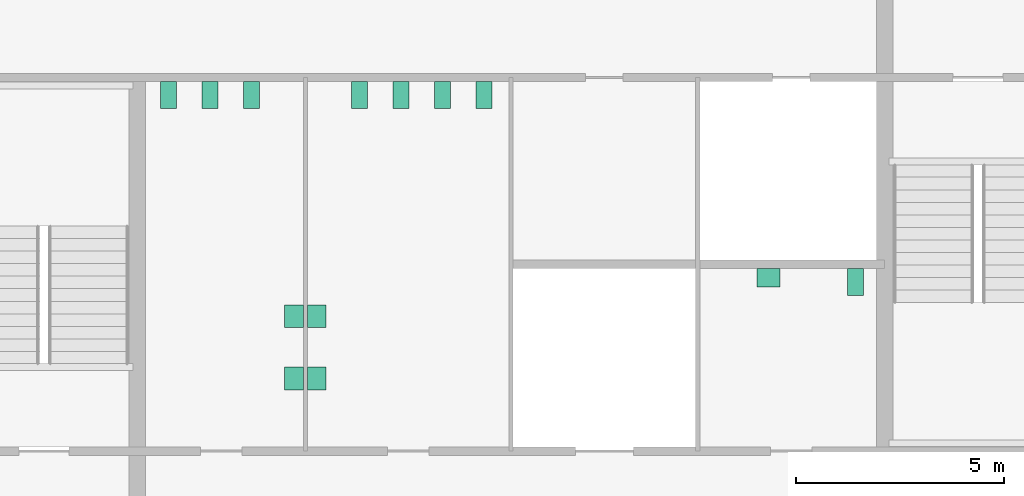
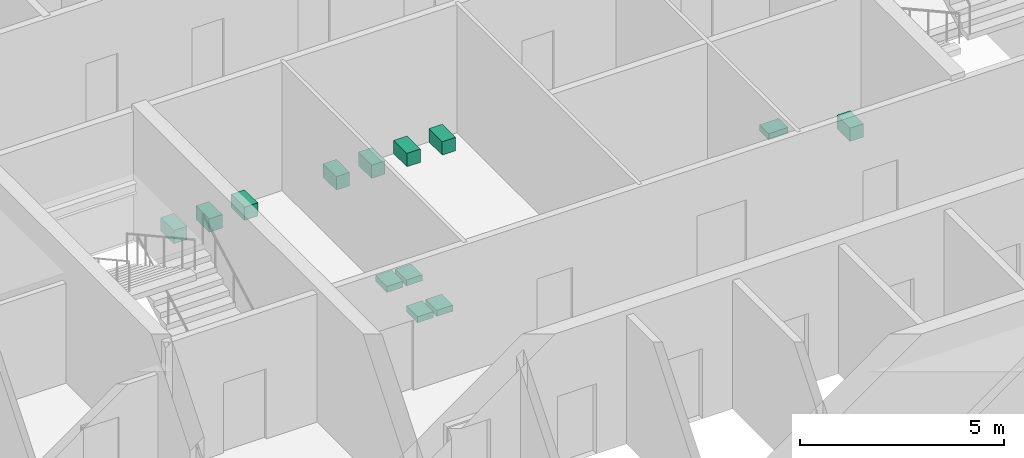
# One storey, part 13 of 13: 13 sanitary terminals.
"""IFC4 building model written with IfcOpenShell, lengths in metres."""

from ifc_helpers import new_model, si_unit, direction, frame, origin, origin_2d, place, context, subcontext, project, spatial, rectangle, extrude, material, type_object, element, save


model = new_model("IFC4")

# Units and contexts
model_context = context("Model", 3, precision=1e-05, world=origin(), true_north=direction((0.0, 1.0)))
body_context = subcontext(model_context, "Body", "Model", "MODEL_VIEW")
ifc_project = project(units=[si_unit("LENGTHUNIT", "METRE"), si_unit("AREAUNIT", "SQUARE_METRE"), si_unit("VOLUMEUNIT", "CUBIC_METRE"), si_unit("PLANEANGLEUNIT", "RADIAN"), si_unit("MASSUNIT", "GRAM", prefix="KILO")], contexts=[model_context])

# Site, building, storey
site_placement = place(None, origin())
site = spatial("IfcSite", under=ifc_project, at=site_placement, CompositionType="ELEMENT")
building_placement = place(site_placement, origin())
building = spatial("IfcBuilding", under=site, at=building_placement, Name="Corais Broadcast Tower", CompositionType="ELEMENT")
storey_placement = place(building_placement, frame((0.0, 0.0, 242.60009765625)))
storey = spatial("IfcBuildingStorey", under=building, at=storey_placement, Name="L56", CompositionType="ELEMENT", Elevation=242.60009765625)

# Sanitary terminals
ifc_material_1 = material(Name="Vitreous china", Category="ceramic")
sanitary_terminal_type_1 = type_object("IfcSanitaryTerminalType", Name="WC pan 380x650", PredefinedType="TOILETPAN", material=ifc_material_1)
for number, where, z_axis, x_axis, name in (
    (1, (18.75, 31.074951171875, 0.0), (0.0, 0.0, 1.0), (1.0, 0.0, 0.0), "SW1 WC pan, male toilets L56"),
    (2, (19.75, 31.074951171875, 0.0), (0.0, 0.0, 1.0), (1.0, 0.0, 0.0), "SW1 WC pan, male toilets L56"),
    (3, (20.75, 31.074951171875, 0.0), (0.0, 0.0, 1.0), (1.0, 0.0, 0.0), "SW1 WC pan, male toilets L56"),
    (4, (23.35009765625, 31.074951171875, 0.0), (0.0, 0.0, 1.0), (1.0, 0.0, 0.0), "SW1 WC pan, female toilets L56"),
    (5, (24.35009765625, 31.074951171875, 0.0), (0.0, 0.0, 1.0), (1.0, 0.0, 0.0), "SW1 WC pan, female toilets L56"),
    (6, (25.35009765625, 31.074951171875, 0.0), (0.0, 0.0, 1.0), (1.0, 0.0, 0.0), "SW1 WC pan, female toilets L56"),
    (7, (26.35009765625, 31.074951171875, 0.0), (0.0, 0.0, 1.0), (1.0, 0.0, 0.0), "SW1 WC pan, female toilets L56"),
    (8, (35.300048828125, 26.574951171875, 0.0), (0.0, 0.0, 1.0), (1.0, 0.0, 0.0), "SW1 WC pan, accessible WC L56"),
):
    element("IfcSanitaryTerminal", number, at=place(storey_placement, frame(where, z_axis=z_axis, x_axis=x_axis)), inside=storey, type_object=sanitary_terminal_type_1, Name=name, PredefinedType="TOILETPAN", context=body_context, shape_type="SweptSolid", body=[
        extrude(rectangle(XDim=0.3798828125, YDim=0.64990234375, at=origin_2d()), origin(), (0.0, 0.0, 1.0), 0.39990234375),
    ])
ifc_material_2 = material(Name="Vitreous china", Category="ceramic")
sanitary_terminal_type_2 = type_object("IfcSanitaryTerminalType", Name="Wash basin 550x450", PredefinedType="WASHHANDBASIN", material=ifc_material_2)
for number, where, z_axis, x_axis, name in (
    (9, (21.77490234375, 24.25, 0.69970703125), (0.0, 0.0, 1.0), (1.0, 0.0, 0.0), "WB1 wash basin, male toilets L56"),
    (10, (21.77490234375, 25.75, 0.69970703125), (0.0, 0.0, 1.0), (1.0, 0.0, 0.0), "WB1 wash basin, male toilets L56"),
    (11, (22.324951171875, 24.25, 0.69970703125), (0.0, 0.0, 1.0), (1.0, 0.0, 0.0), "WB1 wash basin, female toilets L56"),
    (12, (22.324951171875, 25.75, 0.69970703125), (0.0, 0.0, 1.0), (1.0, 0.0, 0.0), "WB1 wash basin, female toilets L56"),
):
    element("IfcSanitaryTerminal", number, at=place(storey_placement, frame(where, z_axis=z_axis, x_axis=x_axis)), inside=storey, type_object=sanitary_terminal_type_2, Name=name, PredefinedType="WASHHANDBASIN", context=body_context, shape_type="SweptSolid", body=[
        extrude(rectangle(XDim=0.449951171875, YDim=0.550048828125, at=origin_2d()), origin(), (0.0, 0.0, 1.0), 0.179931640625),
    ])
sanitary_terminal_placement = place(storey_placement, frame((33.199951171875, 26.675048828125, 0.69970703125), z_axis=(0.0, 0.0, 1.0), x_axis=(1.0, 0.0, 0.0)))
element("IfcSanitaryTerminal", 13, at=sanitary_terminal_placement, inside=storey, type_object=sanitary_terminal_type_2, Name="WB1 wash basin, accessible WC L56", PredefinedType="WASHHANDBASIN", context=body_context, shape_type="SweptSolid", body=[
    extrude(rectangle(XDim=0.550048828125, YDim=0.449951171875, at=origin_2d()), origin(), (0.0, 0.0, 1.0), 0.179931640625),
])

save(model, "model.ifc")
